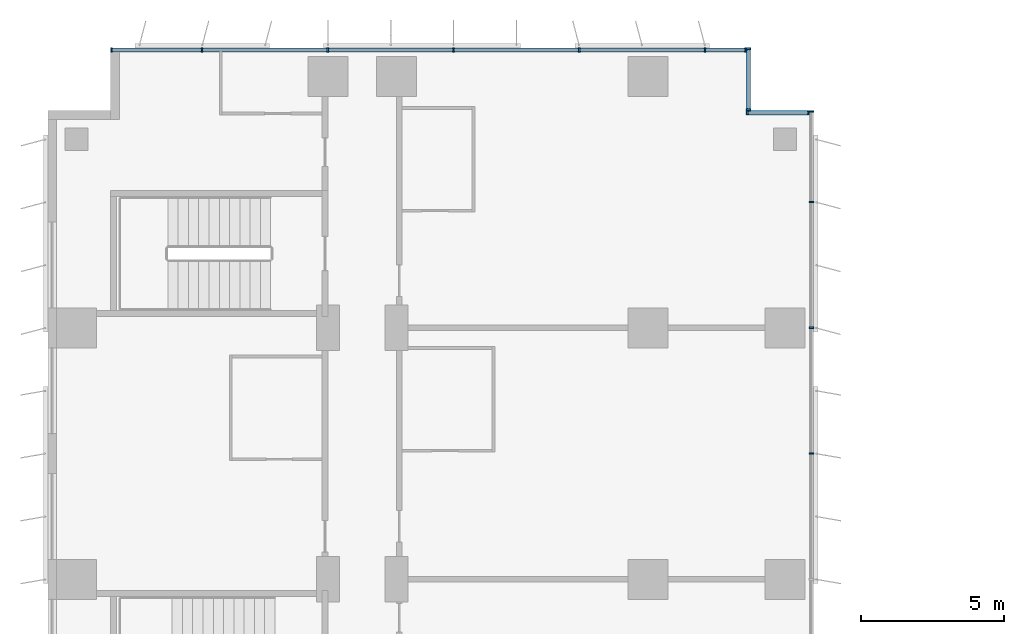
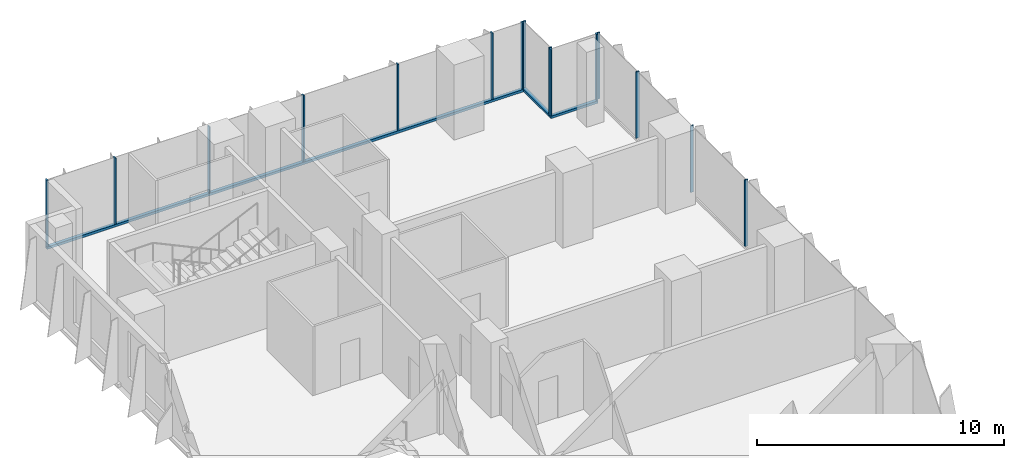
# One storey, part 9 of 24: 18 members, 4 elements without a shape of their own.
"""IFC4 building model written with IfcOpenShell, lengths in metres."""

from ifc_helpers import new_model, si_unit, direction, frame, origin, origin_2d, place, context, subcontext, project, spatial, rectangle, extrude, source, transform, mapped, material, material_profile, profile_set, type_object, element, aggregate, save


model = new_model("IFC4")

# Units and contexts
model_context = context("Model", 3, precision=1e-05, world=origin(), true_north=direction((0.0, 1.0)))
body_context = subcontext(model_context, "Body", "Model", "MODEL_VIEW")
ifc_project = project(units=[si_unit("LENGTHUNIT", "METRE"), si_unit("AREAUNIT", "SQUARE_METRE"), si_unit("VOLUMEUNIT", "CUBIC_METRE"), si_unit("PLANEANGLEUNIT", "RADIAN"), si_unit("MASSUNIT", "GRAM", prefix="KILO")], contexts=[model_context])

# Site, building, storey
site_placement = place(None, origin())
site = spatial("IfcSite", under=ifc_project, at=site_placement, CompositionType="ELEMENT")
building_placement = place(site_placement, origin())
building = spatial("IfcBuilding", under=site, at=building_placement, Name="Kemantara Hotel Tower", CompositionType="ELEMENT")
storey_placement = place(building_placement, frame((0.0, 0.0, 63.60009765625)))
storey = spatial("IfcBuildingStorey", under=building, at=storey_placement, Name="L14", CompositionType="ELEMENT", Elevation=63.60009765625)

# Curtain wall, member
ifc_material_1 = material(Name="Low-E tinted double insulated glass 36 mm", Category="glass")
curtain_wall_type = type_object("IfcCurtainWallType", Name="TOWER CURTAIN WALL, FRONT FACES", PredefinedType="USERDEFINED", material=ifc_material_1)
curtain_wall_1_placement = place(storey_placement, origin())
curtain_wall_1 = element("IfcCurtainWall", 1, at=curtain_wall_1_placement, inside=storey, type_object=curtain_wall_type, Name="CW4 L14 T1-R11-1", ObjectType="TOWER CURTAIN WALL, FRONT FACES", PredefinedType="USERDEFINED")
ifc_material_2 = material(Name="Aluminium 6063-T6 bronze anodised", Category="aluminium")
ifc_material_profile_1 = material_profile(ifc_material_2, rectangle(XDim=0.14990234375, YDim=0.1201171875, at=origin_2d()), Name="TOWER CURTAIN WALL, FRONT FACES TRANSOM")
ifc_profile_set_1 = profile_set([ifc_material_profile_1], Name="Aluminium 6063-T6 bronze anodised")
member_type_1 = type_object("IfcMemberType", Name="TOWER CURTAIN WALL, FRONT FACES TRANSOM", PredefinedType="USERDEFINED", material=ifc_profile_set_1)
member_1_placement = place(storey_placement, frame((24.449951171875, 81.125, 0.059814453125), z_axis=(-1.0, 0.0, 0.0), x_axis=(0.0, -1.0, 0.0)))
member_1 = element("IfcMember", 2, at=member_1_placement, type_object=member_type_1, Name="CW4 sill transom T1-R11-1", ObjectType="TRANSOM", PredefinedType="USERDEFINED", context=body_context, shape_type="SweptSolid", body=[
    extrude(rectangle(XDim=0.14990234375, YDim=0.1201171875, at=origin_2d()), origin(), (0.0, 0.0, 1.0), 22.25),
])

curtain_wall_2_placement = place(storey_placement, origin())
curtain_wall_2 = element("IfcCurtainWall", 3, at=curtain_wall_2_placement, inside=storey, type_object=curtain_wall_type, Name="CW4 L14 T1-R09-1", ObjectType="TOWER CURTAIN WALL, FRONT FACES", PredefinedType="USERDEFINED")
member_2_placement = place(storey_placement, frame((26.64990234375, 78.925048828125, 0.059814453125), z_axis=(-1.0, 0.0, 0.0), x_axis=(0.0, -1.0, 0.0)))
member_2 = element("IfcMember", 4, at=member_2_placement, type_object=member_type_1, Name="CW4 sill transom T1-R09-1", ObjectType="TRANSOM", PredefinedType="USERDEFINED", context=body_context, shape_type="SweptSolid", body=[
    extrude(rectangle(XDim=0.14990234375, YDim=0.1201171875, at=origin_2d()), origin(), (0.0, 0.0, 1.0), 2.199951171875),
])

curtain_wall_3_placement = place(storey_placement, origin())
curtain_wall_3 = element("IfcCurtainWall", 5, at=curtain_wall_3_placement, inside=storey, type_object=curtain_wall_type, Name="CW4 L14 T1-R10-1", ObjectType="TOWER CURTAIN WALL, FRONT FACES", PredefinedType="USERDEFINED")
member_3_placement = place(storey_placement, frame((24.52490234375, 79.0, 0.059814453125), z_axis=(0.0, 1.0, 0.0), x_axis=(-1.0, 0.0, 0.0)))
member_3 = element("IfcMember", 6, at=member_3_placement, type_object=member_type_1, Name="CW4 sill transom T1-R10-1", ObjectType="TRANSOM", PredefinedType="USERDEFINED", context=body_context, shape_type="SweptSolid", body=[
    extrude(rectangle(XDim=0.14990234375, YDim=0.1201171875, at=origin_2d()), origin(), (0.0, 0.0, 1.0), 2.199951171875),
])

# Curtain wall, members
curtain_wall_4_placement = place(storey_placement, origin())
curtain_wall_4 = element("IfcCurtainWall", 7, at=curtain_wall_4_placement, inside=storey, type_object=curtain_wall_type, Name="CW4 L14 T1-R08-1", ObjectType="TOWER CURTAIN WALL, FRONT FACES", PredefinedType="USERDEFINED")
ifc_material_profile_2 = material_profile(ifc_material_2, rectangle(XDim=0.14990234375, YDim=0.06005859375, at=origin_2d()), Name="TOWER CURTAIN WALL, FRONT FACES MULLION")
ifc_profile_set_2 = profile_set([ifc_material_profile_2], Name="Aluminium 6063-T6 bronze anodised")
member_type_2 = type_object("IfcMemberType", Name="TOWER CURTAIN WALL, FRONT FACES MULLION", PredefinedType="MULLION", material=ifc_profile_set_2)
shared_shape = source(origin(), body_context, "Body", "SweptSolid", [
    extrude(rectangle(XDim=0.14990234375, YDim=0.06005859375, at=origin_2d()), origin(), (0.0, 0.0, 1.0), 3.280029296875),
])
member_4_placement = place(storey_placement, frame((26.72509765625, 67.0, 0.119873046875), z_axis=(0.0, 0.0, 1.0), x_axis=(-1.0, 0.0, 0.0)))
member_4 = element("IfcMember", 8, at=member_4_placement, type_object=member_type_2, Name="CW4 mullion T1-R08-1.11", PredefinedType="MULLION", context=body_context, shape_type="MappedRepresentation", body=[
    mapped(shared_shape, transform((0.0, 0.0, 0.0))),
])
member_5_placement = place(storey_placement, frame((26.72509765625, 71.39990234375, 0.119873046875), z_axis=(0.0, 0.0, 1.0), x_axis=(-1.0, 0.0, 0.0)))
member_5 = element("IfcMember", 9, at=member_5_placement, type_object=member_type_2, Name="CW4 mullion T1-R08-1.12", PredefinedType="MULLION", context=body_context, shape_type="MappedRepresentation", body=[
    mapped(shared_shape, transform((0.0, 0.0, 0.0))),
])
member_6_placement = place(storey_placement, frame((26.72509765625, 75.800048828125, 0.119873046875), z_axis=(0.0, 0.0, 1.0), x_axis=(-1.0, 0.0, 0.0)))
member_6 = element("IfcMember", 10, at=member_6_placement, type_object=member_type_2, Name="CW4 mullion T1-R08-1.13", PredefinedType="MULLION", context=body_context, shape_type="MappedRepresentation", body=[
    mapped(shared_shape, transform((0.0, 0.0, 0.0))),
])
member_7_placement = place(storey_placement, frame((26.72509765625, 78.969970703125, 0.119873046875), z_axis=(0.0, 0.0, 1.0), x_axis=(-1.0, 0.0, 0.0)))
member_7 = element("IfcMember", 11, at=member_7_placement, type_object=member_type_2, Name="CW4 mullion T1-R08-1.14", PredefinedType="MULLION", context=body_context, shape_type="MappedRepresentation", body=[
    mapped(shared_shape, transform((0.0, 0.0, 0.0))),
])
aggregate(curtain_wall_4, [member_4, member_5, member_6, member_7])

# Member
member_8_placement = place(storey_placement, frame((24.419921875, 81.125, 0.119873046875), z_axis=(0.0, 0.0, 1.0), x_axis=(0.0, -1.0, 0.0)))
member_8 = element("IfcMember", 12, at=member_8_placement, type_object=member_type_2, Name="CW4 mullion T1-R11-1.1", PredefinedType="MULLION", context=body_context, shape_type="MappedRepresentation", body=[
    mapped(shared_shape, transform((0.0, 0.0, 0.0))),
])

member_9_placement = place(storey_placement, frame((23.0, 81.125, 0.119873046875), z_axis=(0.0, 0.0, 1.0), x_axis=(0.0, -1.0, 0.0)))
member_9 = element("IfcMember", 13, at=member_9_placement, type_object=member_type_2, Name="CW4 mullion T1-R11-1.2", PredefinedType="MULLION", context=body_context, shape_type="MappedRepresentation", body=[
    mapped(shared_shape, transform((0.0, 0.0, 0.0))),
])

member_10_placement = place(storey_placement, frame((18.60009765625, 81.125, 0.119873046875), z_axis=(0.0, 0.0, 1.0), x_axis=(0.0, -1.0, 0.0)))
member_10 = element("IfcMember", 14, at=member_10_placement, type_object=member_type_2, Name="CW4 mullion T1-R11-1.3", PredefinedType="MULLION", context=body_context, shape_type="MappedRepresentation", body=[
    mapped(shared_shape, transform((0.0, 0.0, 0.0))),
])

member_11_placement = place(storey_placement, frame((14.199951171875, 81.125, 0.119873046875), z_axis=(0.0, 0.0, 1.0), x_axis=(0.0, -1.0, 0.0)))
member_11 = element("IfcMember", 15, at=member_11_placement, type_object=member_type_2, Name="CW4 mullion T1-R11-1.4", PredefinedType="MULLION", context=body_context, shape_type="MappedRepresentation", body=[
    mapped(shared_shape, transform((0.0, 0.0, 0.0))),
])

member_12_placement = place(storey_placement, frame((9.800048828125, 81.125, 0.119873046875), z_axis=(0.0, 0.0, 1.0), x_axis=(0.0, -1.0, 0.0)))
member_12 = element("IfcMember", 16, at=member_12_placement, type_object=member_type_2, Name="CW4 mullion T1-R11-1.5", PredefinedType="MULLION", context=body_context, shape_type="MappedRepresentation", body=[
    mapped(shared_shape, transform((0.0, 0.0, 0.0))),
])

member_13_placement = place(storey_placement, frame((5.39990234375, 81.125, 0.119873046875), z_axis=(0.0, 0.0, 1.0), x_axis=(0.0, -1.0, 0.0)))
member_13 = element("IfcMember", 17, at=member_13_placement, type_object=member_type_2, Name="CW4 mullion T1-R11-1.6", PredefinedType="MULLION", context=body_context, shape_type="MappedRepresentation", body=[
    mapped(shared_shape, transform((0.0, 0.0, 0.0))),
])

member_14_placement = place(storey_placement, frame((2.22998046875, 81.125, 0.119873046875), z_axis=(0.0, 0.0, 1.0), x_axis=(0.0, -1.0, 0.0)))
member_14 = element("IfcMember", 18, at=member_14_placement, type_object=member_type_2, Name="CW4 mullion T1-R11-1.7", PredefinedType="MULLION", context=body_context, shape_type="MappedRepresentation", body=[
    mapped(shared_shape, transform((0.0, 0.0, 0.0))),
])

aggregate(curtain_wall_1, [member_1, member_8, member_9, member_10, member_11, member_12, member_13, member_14])

member_15_placement = place(storey_placement, frame((26.6201171875, 78.925048828125, 0.119873046875), z_axis=(0.0, 0.0, 1.0), x_axis=(0.0, -1.0, 0.0)))
member_15 = element("IfcMember", 19, at=member_15_placement, type_object=member_type_2, Name="CW4 mullion T1-R09-1.1", PredefinedType="MULLION", context=body_context, shape_type="MappedRepresentation", body=[
    mapped(shared_shape, transform((0.0, 0.0, 0.0))),
])

member_16_placement = place(storey_placement, frame((24.47998046875, 78.925048828125, 0.119873046875), z_axis=(0.0, 0.0, 1.0), x_axis=(0.0, -1.0, 0.0)))
member_16 = element("IfcMember", 20, at=member_16_placement, type_object=member_type_2, Name="CW4 mullion T1-R09-1.2", PredefinedType="MULLION", context=body_context, shape_type="MappedRepresentation", body=[
    mapped(shared_shape, transform((0.0, 0.0, 0.0))),
])

aggregate(curtain_wall_2, [member_2, member_15, member_16])

member_17_placement = place(storey_placement, frame((24.52490234375, 79.030029296875, 0.119873046875), z_axis=(0.0, 0.0, 1.0), x_axis=(-1.0, 0.0, 0.0)))
member_17 = element("IfcMember", 21, at=member_17_placement, type_object=member_type_2, Name="CW4 mullion T1-R10-1.1", PredefinedType="MULLION", context=body_context, shape_type="MappedRepresentation", body=[
    mapped(shared_shape, transform((0.0, 0.0, 0.0))),
])

member_18_placement = place(storey_placement, frame((24.52490234375, 81.169921875, 0.119873046875), z_axis=(0.0, 0.0, 1.0), x_axis=(-1.0, 0.0, 0.0)))
member_18 = element("IfcMember", 22, at=member_18_placement, type_object=member_type_2, Name="CW4 mullion T1-R10-1.2", PredefinedType="MULLION", context=body_context, shape_type="MappedRepresentation", body=[
    mapped(shared_shape, transform((0.0, 0.0, 0.0))),
])

aggregate(curtain_wall_3, [member_3, member_17, member_18])

save(model, "model.ifc")
